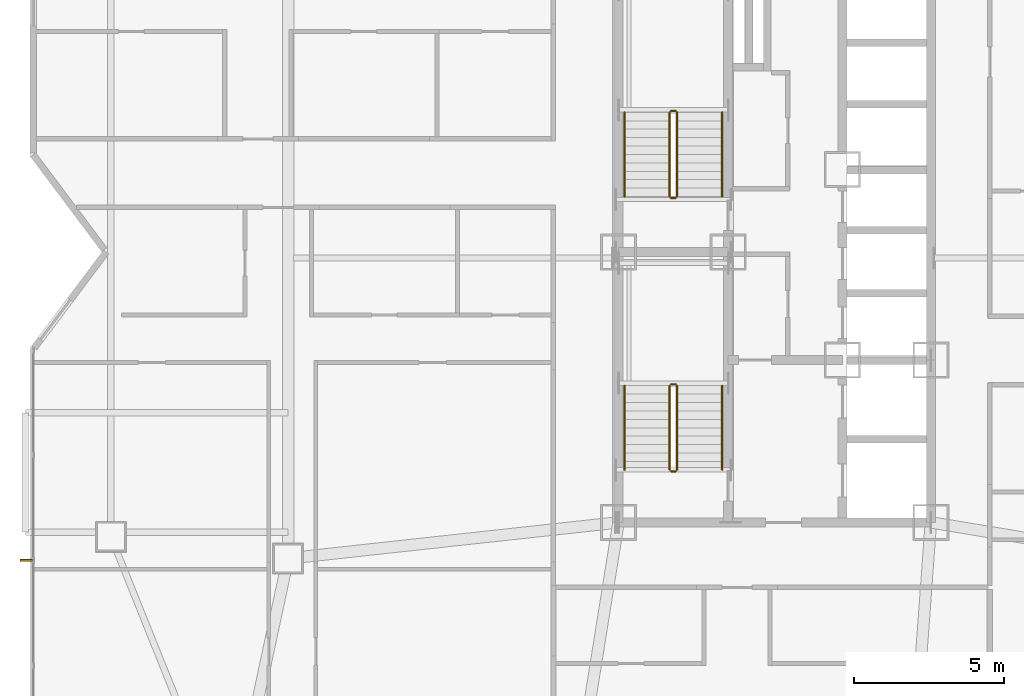
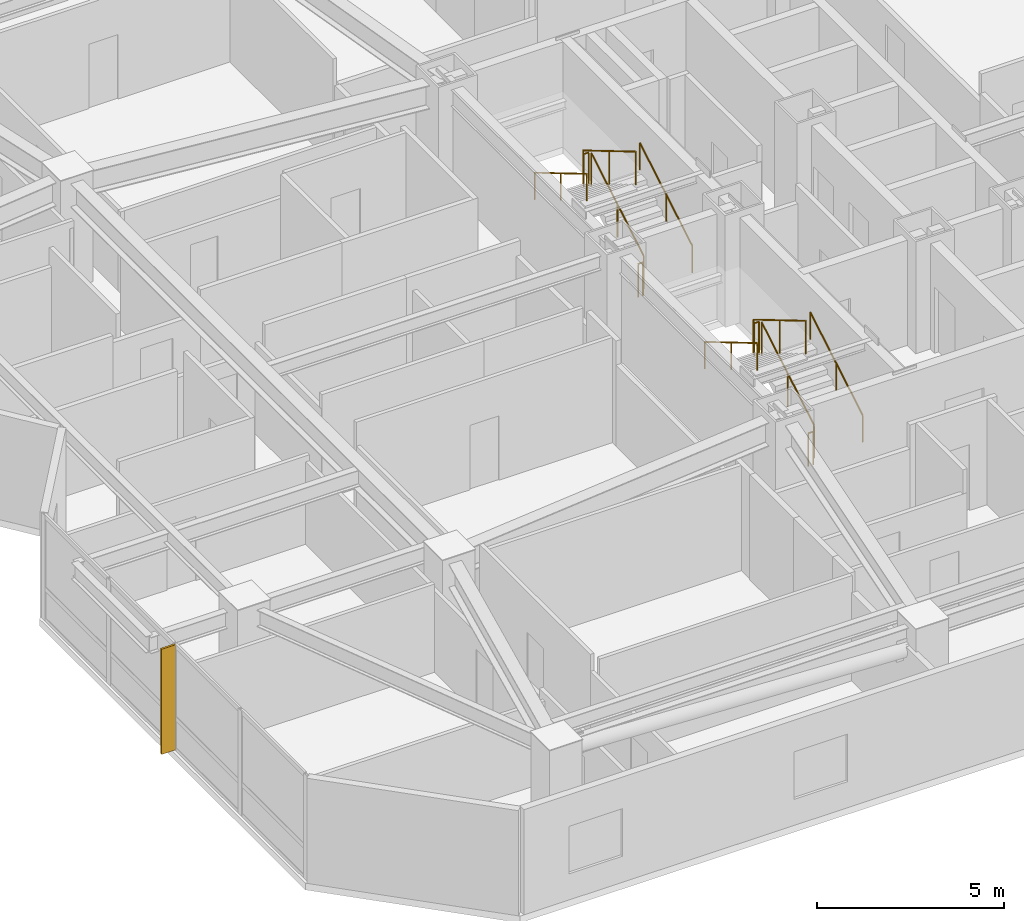
# One storey, part 17 of 17: 12 railings, 1 shading device.
"""IFC4 building model written with IfcOpenShell, lengths in metres."""

from ifc_helpers import new_model, si_unit, direction, frame, origin, origin_2d, place, context, subcontext, project, spatial, rectangle, circle, extrude, material, type_object, element, save


model = new_model("IFC4")

# Units and contexts
model_context = context("Model", 3, precision=1e-05, world=origin(), true_north=direction((0.0, 1.0)))
body_context = subcontext(model_context, "Body", "Model", "MODEL_VIEW")
ifc_project = project(units=[si_unit("LENGTHUNIT", "METRE"), si_unit("AREAUNIT", "SQUARE_METRE"), si_unit("VOLUMEUNIT", "CUBIC_METRE"), si_unit("PLANEANGLEUNIT", "RADIAN"), si_unit("MASSUNIT", "GRAM", prefix="KILO")], contexts=[model_context])

# Site, building, storey
site_placement = place(None, origin())
site = spatial("IfcSite", under=ifc_project, at=site_placement, CompositionType="ELEMENT")
building_placement = place(site_placement, origin())
building = spatial("IfcBuilding", under=site, at=building_placement, Name="Khamvora Tower", CompositionType="ELEMENT")
storey_placement = place(building_placement, frame((0.0, 0.0, 131.10009765625)))
storey = spatial("IfcBuildingStorey", under=building, at=storey_placement, Name="L33", CompositionType="ELEMENT", Elevation=131.10009765625)

# Railings
ifc_material_1 = material(Name="Brushed Stainless Steel 316", Category="steel")
railing_type_1 = type_object("IfcRailingType", Name="RAL-HDR-920", PredefinedType="HANDRAIL", material=ifc_material_1)
railing_1_placement = place(storey_placement, frame((32.449951171875, 20.75, 0.165771484375)))
element("IfcRailing", 1, at=railing_1_placement, inside=storey, type_object=railing_type_1, Name="L33 ST-01 stair handrail 1", PredefinedType="HANDRAIL", context=body_context, shape_type="SweptSolid", body=[
    extrude(circle(Radius=0.02392578125, at=origin_2d()), frame((0.0, 0.0, 0.8759765625), z_axis=(0.0, 0.860306154799, 0.50977771628), x_axis=(-1.0, 0.0, 0.0)), (0.0, 0.0, 1.0), 3.254638671875),
    extrude(circle(Radius=0.02099609375, at=origin_2d()), origin(), (0.0, 0.0, 1.0), 0.851806640625),
    extrude(circle(Radius=0.02099609375, at=origin_2d()), frame((0.0, 1.39990234375, 0.82958984375)), (0.0, 0.0, 1.0), 0.851806640625),
    extrude(circle(Radius=0.02099609375, at=origin_2d()), frame((0.0, 2.800048828125, 1.6591796875)), (0.0, 0.0, 1.0), 0.851806640625),
])
railing_2_placement = place(storey_placement, frame((29.199951171875, 23.550048828125, 1.99072265625)))
element("IfcRailing", 2, at=railing_2_placement, inside=storey, type_object=railing_type_1, Name="L33 ST-01 stair handrail 2", PredefinedType="HANDRAIL", context=body_context, shape_type="SweptSolid", body=[
    extrude(circle(Radius=0.02392578125, at=origin_2d()), frame((0.0, 0.0, 0.8759765625), z_axis=(0.0, -0.860306154799, 0.50977771628), x_axis=(1.0, 0.0, 0.0)), (0.0, 0.0, 1.0), 3.254638671875),
    extrude(circle(Radius=0.02099609375, at=origin_2d()), origin(), (0.0, 0.0, 1.0), 0.851806640625),
    extrude(circle(Radius=0.02099609375, at=origin_2d()), frame((0.0, -1.39990234375, 0.82958984375)), (0.0, 0.0, 1.0), 0.851806640625),
    extrude(circle(Radius=0.02099609375, at=origin_2d()), frame((0.0, -2.800048828125, 1.6591796875)), (0.0, 0.0, 1.0), 0.851806640625),
])
railing_3_placement = place(storey_placement, frame((32.449951171875, 29.85009765625, 0.165771484375)))
element("IfcRailing", 3, at=railing_3_placement, inside=storey, type_object=railing_type_1, Name="L33 ST-02 stair handrail 1", PredefinedType="HANDRAIL", context=body_context, shape_type="SweptSolid", body=[
    extrude(circle(Radius=0.02392578125, at=origin_2d()), frame((0.0, 0.0, 0.8759765625), z_axis=(0.0, 0.860286659441, 0.509810615413), x_axis=(-1.0, 0.0, 0.0)), (0.0, 0.0, 1.0), 3.25439453125),
    extrude(circle(Radius=0.02099609375, at=origin_2d()), origin(), (0.0, 0.0, 1.0), 0.851806640625),
    extrude(circle(Radius=0.02099609375, at=origin_2d()), frame((0.0, 1.39990234375, 0.82958984375)), (0.0, 0.0, 1.0), 0.851806640625),
    extrude(circle(Radius=0.02099609375, at=origin_2d()), frame((0.0, 2.7998046875, 1.6591796875)), (0.0, 0.0, 1.0), 0.851806640625),
])
railing_4_placement = place(storey_placement, frame((29.199951171875, 32.64990234375, 1.99072265625)))
element("IfcRailing", 4, at=railing_4_placement, inside=storey, type_object=railing_type_1, Name="L33 ST-02 stair handrail 2", PredefinedType="HANDRAIL", context=body_context, shape_type="SweptSolid", body=[
    extrude(circle(Radius=0.02392578125, at=origin_2d()), frame((0.0, 0.0, 0.8759765625), z_axis=(0.0, -0.860286659441, 0.509810615413), x_axis=(1.0, 0.0, 0.0)), (0.0, 0.0, 1.0), 3.25439453125),
    extrude(circle(Radius=0.02099609375, at=origin_2d()), origin(), (0.0, 0.0, 1.0), 0.851806640625),
    extrude(circle(Radius=0.02099609375, at=origin_2d()), frame((0.0, -1.39990234375, 0.82958984375)), (0.0, 0.0, 1.0), 0.851806640625),
    extrude(circle(Radius=0.02099609375, at=origin_2d()), frame((0.0, -2.7998046875, 1.6591796875)), (0.0, 0.0, 1.0), 0.851806640625),
])
ifc_material_2 = material(Name="Stainless Steel 316", Category="steel")
railing_type_2 = type_object("IfcRailingType", Name="RAL-STG-1100", PredefinedType="GUARDRAIL", material=ifc_material_2)
railing_5_placement = place(storey_placement, frame((30.949951171875, 20.75, 0.165771484375)))
element("IfcRailing", 5, at=railing_5_placement, inside=storey, type_object=railing_type_2, Name="L33 ST-01 stair guard 1", PredefinedType="GUARDRAIL", context=body_context, shape_type="SweptSolid", body=[
    extrude(circle(Radius=0.02392578125, at=origin_2d()), frame((0.0, 0.0, 1.076171875), z_axis=(0.0, 0.860306154799, 0.50977771628), x_axis=(-1.0, 0.0, 0.0)), (0.0, 0.0, 1.0), 3.254638671875),
    extrude(circle(Radius=0.02099609375, at=origin_2d()), origin(), (0.0, 0.0, 1.0), 1.052001953125),
    extrude(circle(Radius=0.02099609375, at=origin_2d()), frame((0.0, 1.39990234375, 0.82958984375)), (0.0, 0.0, 1.0), 1.052001953125),
    extrude(circle(Radius=0.02099609375, at=origin_2d()), frame((0.0, 2.800048828125, 1.6591796875)), (0.0, 0.0, 1.0), 1.052001953125),
])
railing_6_placement = place(storey_placement, frame((30.89990234375, 23.60009765625, 1.824951171875)))
element("IfcRailing", 6, at=railing_6_placement, inside=storey, type_object=railing_type_2, Name="L33 ST-01 stair guard 2", PredefinedType="GUARDRAIL", context=body_context, shape_type="SweptSolid", body=[
    extrude(circle(Radius=0.02392578125, at=origin_2d()), frame((0.0, 0.0, 1.076171875), z_axis=(-1.0, 0.0, 0.0), x_axis=(0.0, -1.0, 0.0)), (0.0, 0.0, 1.0), 0.14990234375),
    extrude(circle(Radius=0.02099609375, at=origin_2d()), origin(), (0.0, 0.0, 1.0), 1.052001953125),
    extrude(circle(Radius=0.02099609375, at=origin_2d()), frame((-0.14990234375, 0.0, 0.0)), (0.0, 0.0, 1.0), 1.052001953125),
])
railing_7_placement = place(storey_placement, frame((30.699951171875, 23.550048828125, 1.99072265625)))
element("IfcRailing", 7, at=railing_7_placement, inside=storey, type_object=railing_type_2, Name="L33 ST-01 stair guard 3", PredefinedType="GUARDRAIL", context=body_context, shape_type="SweptSolid", body=[
    extrude(circle(Radius=0.02392578125, at=origin_2d()), frame((0.0, 0.0, 1.076171875), z_axis=(0.0, -0.860306154799, 0.50977771628), x_axis=(1.0, 0.0, 0.0)), (0.0, 0.0, 1.0), 3.254638671875),
    extrude(circle(Radius=0.02099609375, at=origin_2d()), origin(), (0.0, 0.0, 1.0), 1.052001953125),
    extrude(circle(Radius=0.02099609375, at=origin_2d()), frame((0.0, -1.39990234375, 0.82958984375)), (0.0, 0.0, 1.0), 1.052001953125),
    extrude(circle(Radius=0.02099609375, at=origin_2d()), frame((0.0, -2.800048828125, 1.6591796875)), (0.0, 0.0, 1.0), 1.052001953125),
])
railing_8_placement = place(storey_placement, frame((30.89990234375, 20.699951171875, 0.0)))
element("IfcRailing", 8, at=railing_8_placement, inside=storey, type_object=railing_type_2, Name="L33 ST-01 stair guard 4", PredefinedType="GUARDRAIL", context=body_context, shape_type="SweptSolid", body=[
    extrude(circle(Radius=0.02392578125, at=origin_2d()), frame((0.0, 0.0, 1.076171875), z_axis=(-1.0, 0.0, 0.0), x_axis=(0.0, -1.0, 0.0)), (0.0, 0.0, 1.0), 0.14990234375),
    extrude(circle(Radius=0.02099609375, at=origin_2d()), origin(), (0.0, 0.0, 1.0), 1.052001953125),
    extrude(circle(Radius=0.02099609375, at=origin_2d()), frame((-0.14990234375, 0.0, 0.0)), (0.0, 0.0, 1.0), 1.052001953125),
])
railing_9_placement = place(storey_placement, frame((30.949951171875, 29.85009765625, 0.165771484375)))
element("IfcRailing", 9, at=railing_9_placement, inside=storey, type_object=railing_type_2, Name="L33 ST-02 stair guard 1", PredefinedType="GUARDRAIL", context=body_context, shape_type="SweptSolid", body=[
    extrude(circle(Radius=0.02392578125, at=origin_2d()), frame((0.0, 0.0, 1.076171875), z_axis=(0.0, 0.860286659441, 0.509810615413), x_axis=(-1.0, 0.0, 0.0)), (0.0, 0.0, 1.0), 3.25439453125),
    extrude(circle(Radius=0.02099609375, at=origin_2d()), origin(), (0.0, 0.0, 1.0), 1.052001953125),
    extrude(circle(Radius=0.02099609375, at=origin_2d()), frame((0.0, 1.39990234375, 0.82958984375)), (0.0, 0.0, 1.0), 1.052001953125),
    extrude(circle(Radius=0.02099609375, at=origin_2d()), frame((0.0, 2.7998046875, 1.6591796875)), (0.0, 0.0, 1.0), 1.052001953125),
])
railing_10_placement = place(storey_placement, frame((30.89990234375, 32.699951171875, 1.824951171875)))
element("IfcRailing", 10, at=railing_10_placement, inside=storey, type_object=railing_type_2, Name="L33 ST-02 stair guard 2", PredefinedType="GUARDRAIL", context=body_context, shape_type="SweptSolid", body=[
    extrude(circle(Radius=0.02392578125, at=origin_2d()), frame((0.0, 0.0, 1.076171875), z_axis=(-1.0, 0.0, 0.0), x_axis=(0.0, -1.0, 0.0)), (0.0, 0.0, 1.0), 0.14990234375),
    extrude(circle(Radius=0.02099609375, at=origin_2d()), origin(), (0.0, 0.0, 1.0), 1.052001953125),
    extrude(circle(Radius=0.02099609375, at=origin_2d()), frame((-0.14990234375, 0.0, 0.0)), (0.0, 0.0, 1.0), 1.052001953125),
])
railing_11_placement = place(storey_placement, frame((30.699951171875, 32.64990234375, 1.99072265625)))
element("IfcRailing", 11, at=railing_11_placement, inside=storey, type_object=railing_type_2, Name="L33 ST-02 stair guard 3", PredefinedType="GUARDRAIL", context=body_context, shape_type="SweptSolid", body=[
    extrude(circle(Radius=0.02392578125, at=origin_2d()), frame((0.0, 0.0, 1.076171875), z_axis=(0.0, -0.860286659441, 0.509810615413), x_axis=(1.0, 0.0, 0.0)), (0.0, 0.0, 1.0), 3.25439453125),
    extrude(circle(Radius=0.02099609375, at=origin_2d()), origin(), (0.0, 0.0, 1.0), 1.052001953125),
    extrude(circle(Radius=0.02099609375, at=origin_2d()), frame((0.0, -1.39990234375, 0.82958984375)), (0.0, 0.0, 1.0), 1.052001953125),
    extrude(circle(Radius=0.02099609375, at=origin_2d()), frame((0.0, -2.7998046875, 1.6591796875)), (0.0, 0.0, 1.0), 1.052001953125),
])
railing_12_placement = place(storey_placement, frame((30.89990234375, 29.800048828125, 0.0)))
element("IfcRailing", 12, at=railing_12_placement, inside=storey, type_object=railing_type_2, Name="L33 ST-02 stair guard 4", PredefinedType="GUARDRAIL", context=body_context, shape_type="SweptSolid", body=[
    extrude(circle(Radius=0.02392578125, at=origin_2d()), frame((0.0, 0.0, 1.076171875), z_axis=(-1.0, 0.0, 0.0), x_axis=(0.0, -1.0, 0.0)), (0.0, 0.0, 1.0), 0.14990234375),
    extrude(circle(Radius=0.02099609375, at=origin_2d()), origin(), (0.0, 0.0, 1.0), 1.052001953125),
    extrude(circle(Radius=0.02099609375, at=origin_2d()), frame((-0.14990234375, 0.0, 0.0)), (0.0, 0.0, 1.0), 1.052001953125),
])

# Shading device
ifc_material_3 = material(Name="Anodised Bronze Aluminium 6063-T6", Category="aluminium")
shading_device_type = type_object("IfcShadingDeviceType", Name="SHD-FIN-420", PredefinedType="USERDEFINED", material=ifc_material_3)
shading_device_placement = place(storey_placement, frame((9.282958984375, 17.739990234375, 0.0), z_axis=(0.0, 0.0, 1.0), x_axis=(0.0, 1.0, 0.0)))
element("IfcShadingDevice", 13, at=shading_device_placement, inside=storey, type_object=shading_device_type, Name="L33 anodised bronze solar fin 02.01", ObjectType="FIN", PredefinedType="USERDEFINED", context=body_context, shape_type="SweptSolid", body=[
    extrude(rectangle(XDim=0.06005859375, YDim=0.419921875, at=origin_2d()), origin(), (0.0, 0.0, 1.0), 3.429931640625),
])

save(model, "model.ifc")
